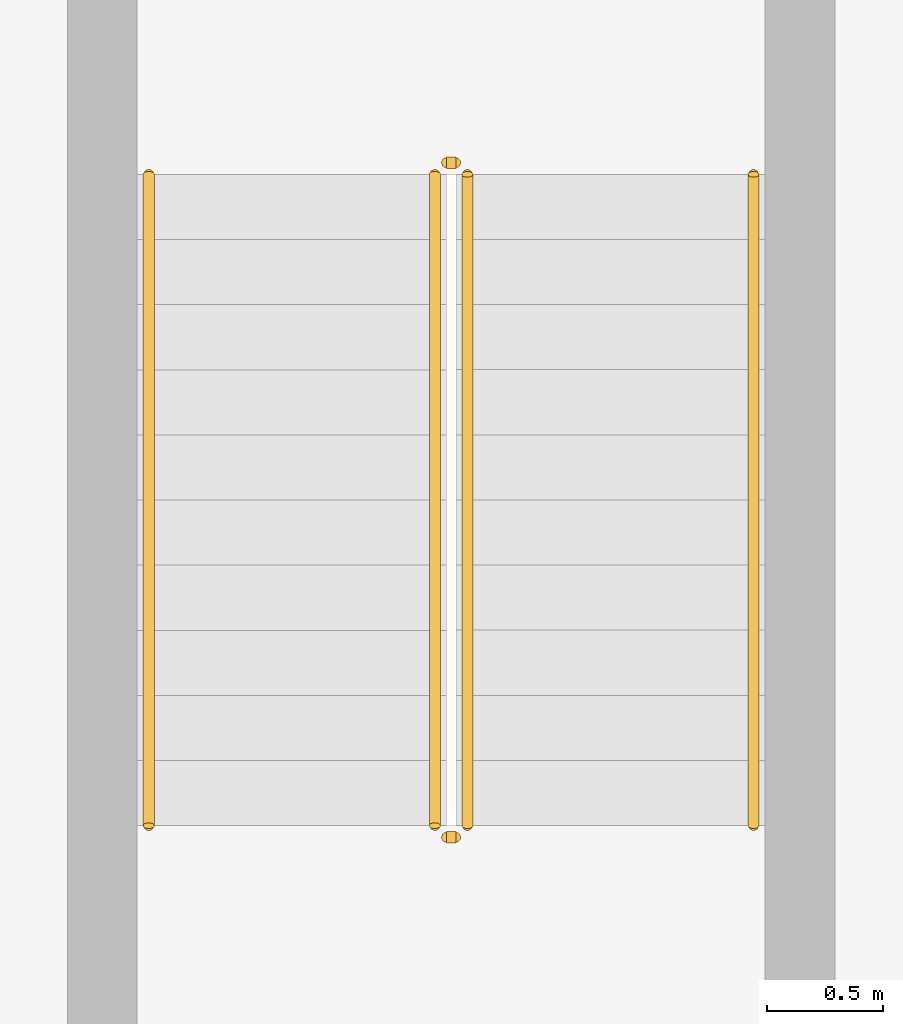
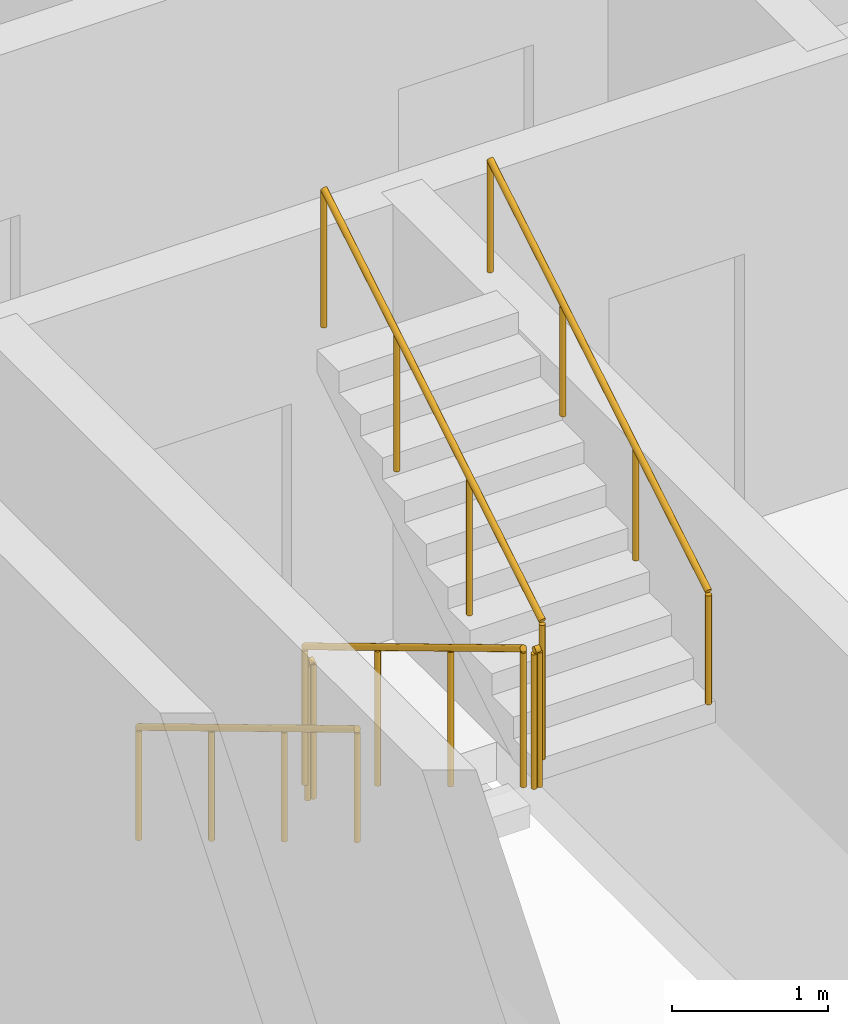
# One storey, part 32 of 35: 6 railings.
"""IFC4 building model written with IfcOpenShell, lengths in metres."""

import ifcopenshell
import ifcopenshell.guid

model = None  # the IFC model being written
_history = None  # IfcOwnerHistory: only IFC2X3 demands one
_inside = {}  # id of a spatial element -> (the spatial element, [elements in it])
_under = {}  # id of a project, library or spatial element -> (it, [spatial elements below it])
_declared = {}  # id of a project -> (the project, [libraries it declares])
_typed = {}  # id of a type object -> (the type object, [elements of that type])
_made_of = {}  # id of a material, layer set ... -> (it, [elements and type objects made of it])


def new_model(schema):
    """Start an empty IFC model of exactly this schema.

    Asked for "IFC4X3", IfcOpenShell would pick the latest addendum, in which some entities
    have other attributes; the version numbers below select the first issue.
    IFC2X3 requires an IfcOwnerHistory on every rooted entity: one is made here for all.
    """
    global model, _history
    if schema == "IFC4X3":
        model = ifcopenshell.file(schema_version=(4, 3, 0, 0))
    else:
        model = ifcopenshell.file(schema=schema)
    _inside.clear()
    _under.clear()
    _declared.clear()
    _typed.clear()
    _made_of.clear()
    _history = None
    if model.schema == "IFC2X3":
        org = make("IfcOrganization", Name="unknown")
        user = make(
            "IfcPersonAndOrganization",
            ThePerson=make("IfcPerson", FamilyName="unknown"),
            TheOrganization=org,
        )
        app = make(
            "IfcApplication",
            ApplicationDeveloper=org,
            Version="unknown",
            ApplicationFullName="unknown",
            ApplicationIdentifier="unknown",
        )
        _history = make(
            "IfcOwnerHistory",
            OwningUser=user,
            OwningApplication=app,
            ChangeAction="ADDED",
            CreationDate=0,
        )
    return model


def make(cls, **values):
    """One entity of the class cls with the attributes given. An attribute that is None is left unset."""
    return model.create_entity(
        cls, **{name: value for name, value in values.items() if value is not None}
    )


def rooted(cls, **values):
    """An entity with a GlobalId (a new one), such as an element, a storey or a relation."""
    return make(cls, GlobalId=ifcopenshell.guid.new(), OwnerHistory=_history, **values)


def si_unit(unit_type, name, prefix=None):
    """IfcSIUnit, for example si_unit("LENGTHUNIT", "METRE", prefix="MILLI")."""
    return make("IfcSIUnit", UnitType=unit_type, Prefix=prefix, Name=name)


def assignment(units):
    """IfcUnitAssignment: the units of a project."""
    return None if units is None else make("IfcUnitAssignment", Units=units)


def point(xyz):
    """IfcCartesianPoint."""
    return None if xyz is None else make("IfcCartesianPoint", Coordinates=xyz)


def direction(xyz):
    """IfcDirection."""
    return None if xyz is None else make("IfcDirection", DirectionRatios=xyz)


def frame(location, z_axis=None, x_axis=None):
    """IfcAxis2Placement3D, a coordinate frame: its origin and axes. An axis left out is left unset."""
    return make(
        "IfcAxis2Placement3D",
        Location=point(location),
        Axis=direction(z_axis),
        RefDirection=direction(x_axis),
    )


def frame_2d(location, x_axis=None):
    """IfcAxis2Placement2D, a coordinate frame in the plane: its origin and x axis."""
    return make(
        "IfcAxis2Placement2D", Location=point(location), RefDirection=direction(x_axis)
    )


def origin():
    """The frame at (0, 0, 0) with its axes left unset."""
    return frame((0.0, 0.0, 0.0))


def origin_2d():
    """The frame at (0, 0) in the plane with its x axis left unset."""
    return frame_2d((0.0, 0.0))


def place(relative_to, where):
    """IfcLocalPlacement: puts the frame where relative to a parent placement (None: the world)."""
    return make(
        "IfcLocalPlacement", PlacementRelTo=relative_to, RelativePlacement=where
    )


def context(
    kind, dimensions, precision=None, world=None, true_north=None, identifier=None
):
    """IfcGeometricRepresentationContext, for example the 3D "Model" context."""
    return make(
        "IfcGeometricRepresentationContext",
        ContextIdentifier=identifier,
        ContextType=kind,
        CoordinateSpaceDimension=dimensions,
        Precision=precision,
        WorldCoordinateSystem=world,
        TrueNorth=true_north,
    )


def subcontext(parent, identifier, kind, view, scale=None):
    """IfcGeometricRepresentationSubContext, for example "Body" below "Model"."""
    return make(
        "IfcGeometricRepresentationSubContext",
        ContextIdentifier=identifier,
        ContextType=kind,
        ParentContext=parent,
        TargetScale=scale,
        TargetView=view,
    )


def project(units=None, contexts=None):
    """IfcProject with its units and contexts."""
    return rooted(
        "IfcProject",
        Name="project",
        RepresentationContexts=contexts,
        UnitsInContext=assignment(units),
    )


def spatial(cls, under=None, at=None, **own):
    """A site, building, storey or space (cls), placed at a placement, below another one or the project."""
    s = rooted(cls, ObjectPlacement=at, **own)
    if under is not None:
        _under.setdefault(under.id(), (under, []))[1].append(s)
    return s


def profile(cls, at=None, kind="AREA", **sizes):
    """A parametric profile (cls). Its sizes go by their IFC names, for example OverallWidth=200.0."""
    return make(cls, ProfileType=kind, Position=at, **sizes)


def circle(**sizes):
    """IfcCircleProfileDef."""
    return profile("IfcCircleProfileDef", **sizes)


def extrude(swept, where, along, depth):
    """IfcExtrudedAreaSolid: the profile swept, set in the frame where, extruded along a direction by depth."""
    return make(
        "IfcExtrudedAreaSolid",
        SweptArea=swept,
        Position=where,
        ExtrudedDirection=direction(along),
        Depth=depth,
    )


def shape(context_of_items, identifier, shape_type, items):
    """IfcShapeRepresentation: the items that make up one representation, for example the "Body"."""
    return make(
        "IfcShapeRepresentation",
        ContextOfItems=context_of_items,
        RepresentationIdentifier=identifier,
        RepresentationType=shape_type,
        Items=items,
    )


def material(Name=None, Category=None):
    """IfcMaterial."""
    return make("IfcMaterial", Name=Name, Category=Category)


def made_of(thing, what):
    """Note that an element or type object is made of a material, layer set ...; save() writes the relation."""
    if what is not None:
        _made_of.setdefault(what.id(), (what, []))[1].append(thing)
    return thing


def type_object(cls, material=None, **own):
    """A type object (cls), such as IfcWallType, which elements share."""
    return made_of(rooted(cls, **own), material)


def element(
    cls,
    number,
    at=None,
    inside=None,
    cuts=None,
    type_object=None,
    material=None,
    context=None,
    identifier="Body",
    shape_type=None,
    held_by="IfcProductDefinitionShape",
    body=None,
    shapes=None,
    **own,
):
    """One element of the class cls, such as IfcWall. Its Tag is "e" and its number.

    at: its placement. inside: the storey or other place that contains it. cuts: it is an
    opening in that element (IfcRelVoidsElement). A single representation is given by context,
    identifier, shape_type and body (its items); several are given by shapes. held_by: the class
    of the entity that holds the representations. save() writes the other relations.
    """
    e = rooted(cls, Tag="e%d" % number, ObjectPlacement=at, **own)
    if body is not None:
        shapes = [shape(context, identifier, shape_type, body)]
    if shapes is not None:
        e.Representation = make(held_by, Representations=shapes)
    if inside is not None:
        _inside.setdefault(inside.id(), (inside, []))[1].append(e)
    if cuts is not None:
        rooted(
            "IfcRelVoidsElement", RelatingBuildingElement=cuts, RelatedOpeningElement=e
        )
    if type_object is not None:
        _typed.setdefault(type_object.id(), (type_object, []))[1].append(e)
    return made_of(e, material)


def aggregate(whole, parts):
    """IfcRelAggregates: a whole, such as a stair, and the parts it consists of."""
    return rooted("IfcRelAggregates", RelatingObject=whole, RelatedObjects=parts)


def save(model, path):
    """Write the relations noted so far, then the file.

    IfcRelAggregates (storeys below a building ...), IfcRelContainedInSpatialStructure (elements
    in a storey), IfcRelDefinesByType, IfcRelAssociatesMaterial and IfcRelDeclares: one each for
    every whole, place, type object, material and project.
    """
    for whole, parts in _under.values():
        aggregate(whole, parts)
    for where, things in _inside.values():
        rooted(
            "IfcRelContainedInSpatialStructure",
            RelatedElements=things,
            RelatingStructure=where,
        )
    for kind, things in _typed.values():
        rooted("IfcRelDefinesByType", RelatedObjects=things, RelatingType=kind)
    for what, things in _made_of.values():
        rooted("IfcRelAssociatesMaterial", RelatedObjects=things, RelatingMaterial=what)
    for by, libraries in _declared.values():
        rooted("IfcRelDeclares", RelatingContext=by, RelatedDefinitions=libraries)
    model.write(path)


model = new_model("IFC4")

# Units and contexts
model_context = context("Model", 3, precision=1e-05, world=origin(), true_north=direction((0.0, 1.0)))
body_context = subcontext(model_context, "Body", "Model", "MODEL_VIEW")
ifc_project = project(units=[si_unit("LENGTHUNIT", "METRE"), si_unit("AREAUNIT", "SQUARE_METRE"), si_unit("VOLUMEUNIT", "CUBIC_METRE"), si_unit("PLANEANGLEUNIT", "RADIAN"), si_unit("MASSUNIT", "GRAM", prefix="KILO")], contexts=[model_context])

# Site, building, storey
site_placement = place(None, origin())
site = spatial("IfcSite", under=ifc_project, at=site_placement, CompositionType="ELEMENT")
building_placement = place(site_placement, origin())
building = spatial("IfcBuilding", under=site, at=building_placement, Name="Ogive Portal Towers", CompositionType="ELEMENT")
storey_placement = place(building_placement, frame((0.0, 0.0, 90.800048828125)))
storey = spatial("IfcBuildingStorey", under=building, at=storey_placement, Name="L21", CompositionType="ELEMENT", Elevation=90.800048828125)

# Railings
ifc_material_1 = material(Name="Stainless steel balustrade", Category="steel")
railing_type_1 = type_object("IfcRailingType", Name="INT-GUARD", PredefinedType="GUARDRAIL", material=ifc_material_1)
railing_1_placement = place(storey_placement, frame((88.280029296875, 29.169921875, 0.168212890625)))
element("IfcRailing", 1, at=railing_1_placement, inside=storey, type_object=railing_type_1, Name="L21 ST-A4 stair guard 1", PredefinedType="GUARDRAIL", context=body_context, shape_type="SweptSolid", body=[
    extrude(circle(Radius=0.02392578125, at=origin_2d()), frame((0.0, 0.0, 1.076171875), z_axis=(0.0, -0.857255387014, 0.514891446264), x_axis=(1.0, 0.0, 0.0)), (0.0, 0.0, 1.0), 3.26611328125),
    extrude(circle(Radius=0.02099609375, at=origin_2d()), origin(), (0.0, 0.0, 1.0), 1.052001953125),
    extrude(circle(Radius=0.02099609375, at=origin_2d()), frame((0.0, -0.933349609375, 0.560546875)), (0.0, 0.0, 1.0), 1.052001953125),
    extrude(circle(Radius=0.02099609375, at=origin_2d()), frame((0.0, -1.866455078125, 1.12109375)), (0.0, 0.0, 1.0), 1.052001953125),
    extrude(circle(Radius=0.02099609375, at=origin_2d()), frame((0.0, -2.7998046875, 1.681640625)), (0.0, 0.0, 1.0), 1.052001953125),
])
railing_2_placement = place(storey_placement, frame((88.330078125, 26.320068359375, 1.849853515625)))
element("IfcRailing", 2, at=railing_2_placement, inside=storey, type_object=railing_type_1, Name="L21 ST-A4 stair guard 2", PredefinedType="GUARDRAIL", context=body_context, shape_type="SweptSolid", body=[
    extrude(circle(Radius=0.02392578125, at=origin_2d()), frame((0.0, 0.0, 1.076171875), z_axis=(1.0, 0.0, 0.0), x_axis=(0.0, 1.0, 0.0)), (0.0, 0.0, 1.0), 0.0400390625),
    extrude(circle(Radius=0.02099609375, at=origin_2d()), origin(), (0.0, 0.0, 1.0), 1.052001953125),
    extrude(circle(Radius=0.02099609375, at=origin_2d()), frame((0.0400390625, 0.0, 0.0)), (0.0, 0.0, 1.0), 1.052001953125),
])
railing_3_placement = place(storey_placement, frame((88.419921875, 26.3701171875, 2.01806640625)))
element("IfcRailing", 3, at=railing_3_placement, inside=storey, type_object=railing_type_1, Name="L21 ST-A4 stair guard 3", PredefinedType="GUARDRAIL", context=body_context, shape_type="SweptSolid", body=[
    extrude(circle(Radius=0.02392578125, at=origin_2d()), frame((0.0, 0.0, 1.076171875), z_axis=(0.0, 0.857222391501, 0.514946377315), x_axis=(-1.0, 0.0, 0.0)), (0.0, 0.0, 1.0), 3.26611328125),
    extrude(circle(Radius=0.02099609375, at=origin_2d()), origin(), (0.0, 0.0, 1.0), 1.052001953125),
    extrude(circle(Radius=0.02099609375, at=origin_2d()), frame((0.0, 0.933349609375, 0.560546875)), (0.0, 0.0, 1.0), 1.052001953125),
    extrude(circle(Radius=0.02099609375, at=origin_2d()), frame((0.0, 1.866455078125, 1.121337890625)), (0.0, 0.0, 1.0), 1.052001953125),
    extrude(circle(Radius=0.02099609375, at=origin_2d()), frame((0.0, 2.7998046875, 1.681884765625)), (0.0, 0.0, 1.0), 1.052001953125),
])
railing_4_placement = place(storey_placement, frame((88.330078125, 29.219970703125, 0.0)))
element("IfcRailing", 4, at=railing_4_placement, inside=storey, type_object=railing_type_1, Name="L21 ST-A4 stair guard 4", PredefinedType="GUARDRAIL", context=body_context, shape_type="SweptSolid", body=[
    extrude(circle(Radius=0.02392578125, at=origin_2d()), frame((0.0, 0.0, 1.076171875), z_axis=(1.0, 0.0, 0.0), x_axis=(0.0, 1.0, 0.0)), (0.0, 0.0, 1.0), 0.0400390625),
    extrude(circle(Radius=0.02099609375, at=origin_2d()), origin(), (0.0, 0.0, 1.0), 1.052001953125),
    extrude(circle(Radius=0.02099609375, at=origin_2d()), frame((0.0400390625, 0.0, 0.0)), (0.0, 0.0, 1.0), 1.052001953125),
])
ifc_material_2 = material(Name="Stainless steel handrail", Category="steel")
railing_type_2 = type_object("IfcRailingType", Name="INT-HANDRAIL", PredefinedType="HANDRAIL", material=ifc_material_2)
railing_5_placement = place(storey_placement, frame((87.050048828125, 29.169921875, 0.168212890625)))
element("IfcRailing", 5, at=railing_5_placement, inside=storey, type_object=railing_type_2, Name="L21 ST-A4 stair handrail 1", PredefinedType="HANDRAIL", context=body_context, shape_type="SweptSolid", body=[
    extrude(circle(Radius=0.02392578125, at=origin_2d()), frame((0.0, 0.0, 0.8759765625), z_axis=(0.0, -0.857255387014, 0.514891446264), x_axis=(1.0, 0.0, 0.0)), (0.0, 0.0, 1.0), 3.26611328125),
    extrude(circle(Radius=0.02099609375, at=origin_2d()), origin(), (0.0, 0.0, 1.0), 0.851806640625),
    extrude(circle(Radius=0.02099609375, at=origin_2d()), frame((0.0, -0.933349609375, 0.560546875)), (0.0, 0.0, 1.0), 0.851806640625),
    extrude(circle(Radius=0.02099609375, at=origin_2d()), frame((0.0, -1.866455078125, 1.12109375)), (0.0, 0.0, 1.0), 0.851806640625),
    extrude(circle(Radius=0.02099609375, at=origin_2d()), frame((0.0, -2.7998046875, 1.681640625)), (0.0, 0.0, 1.0), 0.851806640625),
])
railing_6_placement = place(storey_placement, frame((89.64990234375, 26.3701171875, 2.01806640625)))
element("IfcRailing", 6, at=railing_6_placement, inside=storey, type_object=railing_type_2, Name="L21 ST-A4 stair handrail 2", PredefinedType="HANDRAIL", context=body_context, shape_type="SweptSolid", body=[
    extrude(circle(Radius=0.02392578125, at=origin_2d()), frame((0.0, 0.0, 0.8759765625), z_axis=(0.0, 0.857222391501, 0.514946377315), x_axis=(-1.0, 0.0, 0.0)), (0.0, 0.0, 1.0), 3.26611328125),
    extrude(circle(Radius=0.02099609375, at=origin_2d()), origin(), (0.0, 0.0, 1.0), 0.851806640625),
    extrude(circle(Radius=0.02099609375, at=origin_2d()), frame((0.0, 0.933349609375, 0.560546875)), (0.0, 0.0, 1.0), 0.851806640625),
    extrude(circle(Radius=0.02099609375, at=origin_2d()), frame((0.0, 1.866455078125, 1.121337890625)), (0.0, 0.0, 1.0), 0.851806640625),
    extrude(circle(Radius=0.02099609375, at=origin_2d()), frame((0.0, 2.7998046875, 1.681884765625)), (0.0, 0.0, 1.0), 0.851806640625),
])

save(model, "model.ifc")
